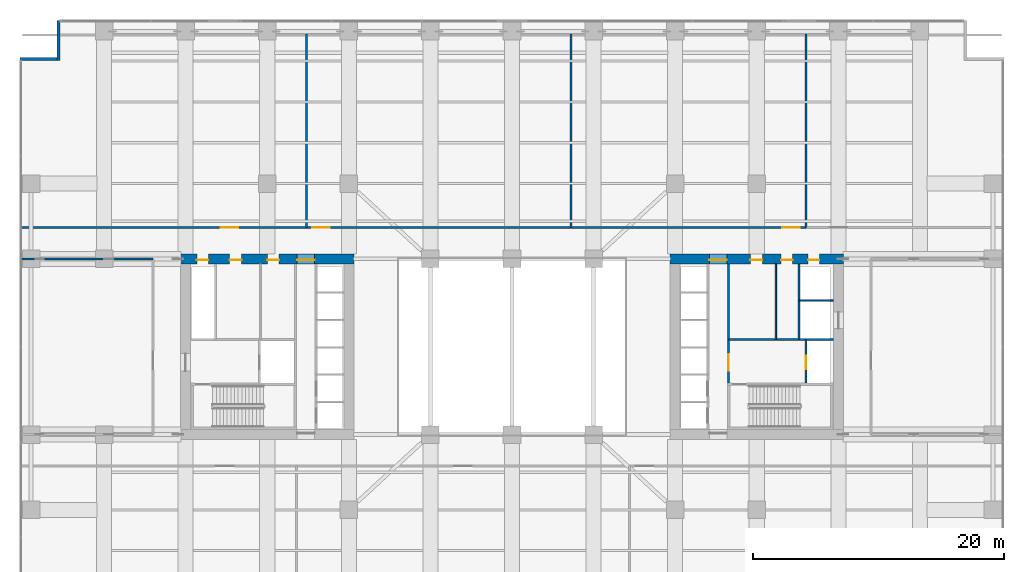
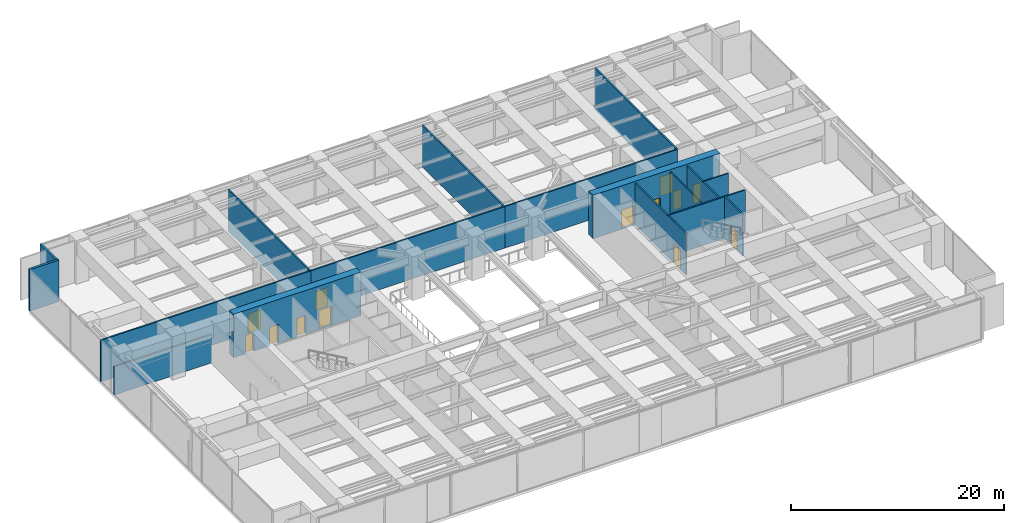
# One storey, part 26 of 31: 17 walls, 13 doors, 13 openings.
"""IFC4 building model written with IfcOpenShell, lengths in metres."""

from ifc_helpers import new_model, si_unit, direction, frame, frame_2d, origin, place, context, subcontext, project, spatial, rectangle, extrude, material, layer, layer_set, type_object, element, fill, save


model = new_model("IFC4")

# Units and contexts
model_context = context("Model", 3, precision=1e-05, world=origin(), true_north=direction((0.0, 1.0)))
body_context = subcontext(model_context, "Body", "Model", "MODEL_VIEW")
ifc_project = project(units=[si_unit("LENGTHUNIT", "METRE"), si_unit("AREAUNIT", "SQUARE_METRE"), si_unit("VOLUMEUNIT", "CUBIC_METRE"), si_unit("PLANEANGLEUNIT", "RADIAN"), si_unit("MASSUNIT", "GRAM", prefix="KILO")], contexts=[model_context])

# Site, building, storey
site_placement = place(None, origin())
site = spatial("IfcSite", under=ifc_project, at=site_placement, CompositionType="ELEMENT")
building_placement = place(site_placement, origin())
building = spatial("IfcBuilding", under=site, at=building_placement, Name="Putna Gate Headquarters", CompositionType="ELEMENT")
storey_placement = place(building_placement, frame((0.0, 0.0, 81.0)))
storey = spatial("IfcBuildingStorey", under=building, at=storey_placement, Name="L19", CompositionType="ELEMENT", Elevation=81.0)

# Wall, openings, doors
ifc_material_1 = material(Name="Concrete C60/75", Category="concrete")
ifc_layer_1 = layer(ifc_material_1, 0.800048828125)
ifc_layer_set_1 = layer_set([ifc_layer_1], Name="Concrete C60/75")
wall_type_1 = type_object("IfcWallType", Name="WALL-CORE-800", PredefinedType="SHEAR", material=ifc_layer_set_1)
wall_1_placement = place(storey_placement, frame((12.60009765625, 33.0, 0.0), z_axis=(0.0, 0.0, 1.0), x_axis=(1.0, 0.0, 0.0)))
wall_1 = element("IfcWall", 1, at=wall_1_placement, inside=storey, type_object=wall_type_1, Name="L19 WC Split Core Shear Wall N", PredefinedType="SHEAR", context=body_context, shape_type="SweptSolid", body=[
    extrude(rectangle(XDim=13.7998046875, YDim=0.800048828125, at=frame_2d((6.89990234375, 0.0))), origin(), (0.0, 0.0, 1.0), 5.0),
])
opening_1_placement = place(wall_1_placement, frame((1.300048828125, 0.0, 0.0)))
opening_1 = element("IfcOpeningElement", 2, at=opening_1_placement, cuts=wall_1, Name="Opening RD-90", PredefinedType="OPENING", context=body_context, shape_type="SweptSolid", body=[
    extrude(rectangle(XDim=0.89990234375, YDim=2.14990234375, at=frame_2d((0.449951171875, 1.074951171875))), frame((0.0, 0.409912109375, 0.0), z_axis=(0.0, -1.0, 0.0), x_axis=(1.0, 0.0, 0.0)), (0.0, 0.0, 1.0), 0.820068359375),
])
opening_2_placement = place(wall_1_placement, frame((3.89990234375, 0.0, 0.0)))
opening_2 = element("IfcOpeningElement", 3, at=opening_2_placement, cuts=wall_1, Name="Opening IDS-95", PredefinedType="OPENING", context=body_context, shape_type="SweptSolid", body=[
    extrude(rectangle(XDim=0.949951171875, YDim=2.14990234375, at=frame_2d((0.47509765625, 1.074951171875))), frame((0.0, 0.409912109375, 0.0), z_axis=(0.0, -1.0, 0.0), x_axis=(1.0, 0.0, 0.0)), (0.0, 0.0, 1.0), 0.820068359375),
])
opening_3_placement = place(wall_1_placement, frame((6.89990234375, 0.0, 0.0)))
opening_3 = element("IfcOpeningElement", 4, at=opening_3_placement, cuts=wall_1, Name="Opening IDS-95", PredefinedType="OPENING", context=body_context, shape_type="SweptSolid", body=[
    extrude(rectangle(XDim=0.949951171875, YDim=2.14990234375, at=frame_2d((0.47509765625, 1.074951171875))), frame((0.0, 0.409912109375, 0.0), z_axis=(0.0, -1.0, 0.0), x_axis=(1.0, 0.0, 0.0)), (0.0, 0.0, 1.0), 0.820068359375),
])
opening_4_placement = place(wall_1_placement, frame((9.280029296875, 0.0, 0.0)))
opening_4 = element("IfcOpeningElement", 5, at=opening_4_placement, cuts=wall_1, Name="Opening FDD-140", PredefinedType="OPENING", context=body_context, shape_type="SweptSolid", body=[
    extrude(rectangle(XDim=1.39990234375, YDim=2.199951171875, at=frame_2d((0.699951171875, 1.10009765625))), frame((0.0, 0.409912109375, 0.0), z_axis=(0.0, -1.0, 0.0), x_axis=(1.0, 0.0, 0.0)), (0.0, 0.0, 1.0), 0.820068359375),
])
ifc_material_2 = material(Name="Double steel fire door", Category="steel")
door_type_1 = type_object("IfcDoorType", Name="DOOR-FIRE-DBL-1400", OperationType="DOUBLE_DOOR_SINGLE_SWING", PredefinedType="DOOR", material=ifc_material_2)
door_1_placement = place(opening_4_placement, origin())
door_1 = element("IfcDoor", 6, at=door_1_placement, inside=storey, type_object=door_type_1, Name="L19 West Lift Lobby North Door", OperationType="DOUBLE_DOOR_SINGLE_SWING", OverallHeight=2.199951171875, OverallWidth=1.39990234375, PredefinedType="DOOR", context=body_context, shape_type="SweptSolid", body=[
    extrude(rectangle(XDim=1.39990234375, YDim=2.199951171875, at=frame_2d((0.699951171875, 1.10009765625))), frame((0.0, -0.0751953125, 0.0), z_axis=(0.0, -1.0, 0.0), x_axis=(1.0, 0.0, 0.0)), (0.0, 0.0, 1.0), 0.050048828125),
])
fill(opening_4, door_1)
ifc_material_3 = material(Name="Fire-rated service timber door", Category="wood")
door_type_2 = type_object("IfcDoorType", Name="DOOR-INT-950", OperationType="NOTDEFINED", PredefinedType="DOOR", material=ifc_material_3)
door_2_placement = place(opening_2_placement, origin())
door_2 = element("IfcDoor", 7, at=door_2_placement, inside=storey, type_object=door_type_2, Name="L19 Cleaner Store Door", OperationType="SINGLE_SWING_LEFT", OverallHeight=2.14990234375, OverallWidth=0.949951171875, PredefinedType="DOOR", context=body_context, shape_type="SweptSolid", body=[
    extrude(rectangle(XDim=0.949951171875, YDim=2.14990234375, at=frame_2d((0.47509765625, 1.074951171875))), frame((0.0, -0.0751953125, 0.0), z_axis=(0.0, -1.0, 0.0), x_axis=(1.0, 0.0, 0.0)), (0.0, 0.0, 1.0), 0.050048828125),
])
fill(opening_2, door_2)
door_3_placement = place(opening_3_placement, origin())
door_3 = element("IfcDoor", 8, at=door_3_placement, inside=storey, type_object=door_type_2, Name="L19 Comms Plant Door", OperationType="SINGLE_SWING_RIGHT", OverallHeight=2.14990234375, OverallWidth=0.949951171875, PredefinedType="DOOR", context=body_context, shape_type="SweptSolid", body=[
    extrude(rectangle(XDim=0.949951171875, YDim=2.14990234375, at=frame_2d((0.47509765625, 1.074951171875))), frame((0.0, -0.0751953125, 0.0), z_axis=(0.0, -1.0, 0.0), x_axis=(1.0, 0.0, 0.0)), (0.0, 0.0, 1.0), 0.050048828125),
])
fill(opening_3, door_3)
ifc_material_4 = material(Name="Steel riser access fire door", Category="steel")
door_type_3 = type_object("IfcDoorType", Name="DOOR-RISER-900", OperationType="NOTDEFINED", PredefinedType="DOOR", material=ifc_material_4)
door_4_placement = place(opening_1_placement, origin())
door_4 = element("IfcDoor", 9, at=door_4_placement, inside=storey, type_object=door_type_3, Name="L19 West Riser Access Door", OperationType="SINGLE_SWING_RIGHT", OverallHeight=2.14990234375, OverallWidth=0.89990234375, PredefinedType="DOOR", context=body_context, shape_type="SweptSolid", body=[
    extrude(rectangle(XDim=0.89990234375, YDim=2.14990234375, at=frame_2d((0.449951171875, 1.074951171875))), frame((0.0, -0.0751953125, 0.0), z_axis=(0.0, -1.0, 0.0), x_axis=(1.0, 0.0, 0.0)), (0.0, 0.0, 1.0), 0.050048828125),
])
fill(opening_1, door_4)

wall_2_placement = place(storey_placement, frame((51.60009765625, 33.0, 0.0), z_axis=(0.0, 0.0, 1.0), x_axis=(1.0, 0.0, 0.0)))
wall_2 = element("IfcWall", 10, at=wall_2_placement, inside=storey, type_object=wall_type_1, Name="L19 EC Split Core Shear Wall N", PredefinedType="SHEAR", context=body_context, shape_type="SweptSolid", body=[
    extrude(rectangle(XDim=13.7998046875, YDim=0.800048828125, at=frame_2d((6.89990234375, 0.0))), origin(), (0.0, 0.0, 1.0), 5.0),
])
opening_5_placement = place(wall_2_placement, frame((3.1201171875, 0.0, 0.0)))
opening_5 = element("IfcOpeningElement", 11, at=opening_5_placement, cuts=wall_2, Name="Opening FDD-140", PredefinedType="OPENING", context=body_context, shape_type="SweptSolid", body=[
    extrude(rectangle(XDim=1.39990234375, YDim=2.199951171875, at=frame_2d((0.699951171875, 1.10009765625))), frame((0.0, 0.409912109375, 0.0), z_axis=(0.0, -1.0, 0.0), x_axis=(1.0, 0.0, 0.0)), (0.0, 0.0, 1.0), 0.820068359375),
])
opening_6_placement = place(wall_2_placement, frame((11.0, 0.0, 0.0)))
opening_6 = element("IfcOpeningElement", 12, at=opening_6_placement, cuts=wall_2, Name="Opening RD-90", PredefinedType="OPENING", context=body_context, shape_type="SweptSolid", body=[
    extrude(rectangle(XDim=0.89990234375, YDim=2.14990234375, at=frame_2d((0.449951171875, 1.074951171875))), frame((0.0, 0.409912109375, 0.0), z_axis=(0.0, -1.0, 0.0), x_axis=(1.0, 0.0, 0.0)), (0.0, 0.0, 1.0), 0.820068359375),
])
opening_7_placement = place(wall_2_placement, frame((6.39990234375, 0.0, 0.0)))
opening_7 = element("IfcOpeningElement", 13, at=opening_7_placement, cuts=wall_2, Name="Opening IDS-95", PredefinedType="OPENING", context=body_context, shape_type="SweptSolid", body=[
    extrude(rectangle(XDim=0.949951171875, YDim=2.14990234375, at=frame_2d((0.47509765625, 1.074951171875))), frame((0.0, 0.409912109375, 0.0), z_axis=(0.0, -1.0, 0.0), x_axis=(1.0, 0.0, 0.0)), (0.0, 0.0, 1.0), 0.820068359375),
])
opening_8_placement = place(wall_2_placement, frame((8.85009765625, 0.0, 0.0)))
opening_8 = element("IfcOpeningElement", 14, at=opening_8_placement, cuts=wall_2, Name="Opening IDS-90", PredefinedType="OPENING", context=body_context, shape_type="SweptSolid", body=[
    extrude(rectangle(XDim=0.89990234375, YDim=2.14990234375, at=frame_2d((0.449951171875, 1.074951171875))), frame((0.0, 0.409912109375, 0.0), z_axis=(0.0, -1.0, 0.0), x_axis=(1.0, 0.0, 0.0)), (0.0, 0.0, 1.0), 0.820068359375),
])
door_5_placement = place(opening_5_placement, origin())
door_5 = element("IfcDoor", 15, at=door_5_placement, inside=storey, type_object=door_type_1, Name="L19 East Lift Lobby North Door", OperationType="DOUBLE_DOOR_SINGLE_SWING", OverallHeight=2.199951171875, OverallWidth=1.39990234375, PredefinedType="DOOR", context=body_context, shape_type="SweptSolid", body=[
    extrude(rectangle(XDim=1.39990234375, YDim=2.199951171875, at=frame_2d((0.699951171875, 1.10009765625))), frame((0.0, -0.0751953125, 0.0), z_axis=(0.0, -1.0, 0.0), x_axis=(1.0, 0.0, 0.0)), (0.0, 0.0, 1.0), 0.050048828125),
])
fill(opening_5, door_5)
ifc_material_5 = material(Name="Fire-rated utility door")
door_type_4 = type_object("IfcDoorType", Name="DOOR-INT-900", OperationType="NOTDEFINED", PredefinedType="DOOR", material=ifc_material_5)
door_6_placement = place(opening_8_placement, origin())
door_6 = element("IfcDoor", 16, at=door_6_placement, inside=storey, type_object=door_type_4, Name="L19 Electrical Plant Door", OperationType="SINGLE_SWING_LEFT", OverallHeight=2.14990234375, OverallWidth=0.89990234375, PredefinedType="DOOR", context=body_context, shape_type="SweptSolid", body=[
    extrude(rectangle(XDim=0.89990234375, YDim=2.14990234375, at=frame_2d((0.449951171875, 1.074951171875))), frame((0.0, -0.0751953125, 0.0), z_axis=(0.0, -1.0, 0.0), x_axis=(1.0, 0.0, 0.0)), (0.0, 0.0, 1.0), 0.050048828125),
])
fill(opening_8, door_6)
door_7_placement = place(opening_7_placement, origin())
door_7 = element("IfcDoor", 17, at=door_7_placement, inside=storey, type_object=door_type_2, Name="L19 East Store Door", OperationType="SINGLE_SWING_RIGHT", OverallHeight=2.14990234375, OverallWidth=0.949951171875, PredefinedType="DOOR", context=body_context, shape_type="SweptSolid", body=[
    extrude(rectangle(XDim=0.949951171875, YDim=2.14990234375, at=frame_2d((0.47509765625, 1.074951171875))), frame((0.0, -0.0751953125, 0.0), z_axis=(0.0, -1.0, 0.0), x_axis=(1.0, 0.0, 0.0)), (0.0, 0.0, 1.0), 0.050048828125),
])
fill(opening_7, door_7)
door_8_placement = place(opening_6_placement, origin())
door_8 = element("IfcDoor", 18, at=door_8_placement, inside=storey, type_object=door_type_3, Name="L19 East Riser Access Door", OperationType="SINGLE_SWING_LEFT", OverallHeight=2.14990234375, OverallWidth=0.89990234375, PredefinedType="DOOR", context=body_context, shape_type="SweptSolid", body=[
    extrude(rectangle(XDim=0.89990234375, YDim=2.14990234375, at=frame_2d((0.449951171875, 1.074951171875))), frame((0.0, -0.0751953125, 0.0), z_axis=(0.0, -1.0, 0.0), x_axis=(1.0, 0.0, 0.0)), (0.0, 0.0, 1.0), 0.050048828125),
])
fill(opening_6, door_8)

# Walls
ifc_material_6 = material(Name="Precast concrete C40/50", Category="concrete")
ifc_layer_2 = layer(ifc_material_6, 0.239990234375)
ifc_layer_set_2 = layer_set([ifc_layer_2], Name="Precast concrete C40/50")
wall_type_2 = type_object("IfcWallType", Name="WALL-EXT-TERR-240", PredefinedType="STANDARD", material=ifc_layer_set_2)
for number, where, z_axis, x_axis, name in (
    (19, (2.8798828125, 48.800048828125, 0.0), (0.0, 0.0, 1.0), (0.0, 1.0, 0.0), "L19 Corner Notch Return Wall NW-V"),
    (20, (-0.199951171875, 48.919921875, 0.0), (0.0, 0.0, 1.0), (1.0, 0.0, 0.0), "L19 Corner Notch Return Wall NW-H"),
):
    element("IfcWall", number, at=place(storey_placement, frame(where, z_axis=z_axis, x_axis=x_axis)), inside=storey, type_object=wall_type_2, Name=name, PredefinedType="STANDARD", context=body_context, shape_type="SweptSolid", body=[
        extrude(rectangle(XDim=3.199951171875, YDim=0.239990234375, at=frame_2d((1.60009765625, 0.0))), origin(), (0.0, 0.0, 1.0), 4.764892578125),
    ])
ifc_material_7 = material(Name="Fire-rated shaftwall gypsum board on metal stud")
ifc_layer_3 = layer(ifc_material_7, 0.1201171875)
ifc_layer_set_3 = layer_set([ifc_layer_3], Name="Fire-rated shaftwall gypsum board on metal stud")
wall_type_3 = type_object("IfcWallType", Name="WALL-PART-120-EI120", PredefinedType="PARTITIONING", material=ifc_layer_set_3)
wall_3_placement = place(storey_placement, frame((61.8701171875, 29.699951171875, 0.0), z_axis=(0.0, 0.0, 1.0), x_axis=(1.0, 0.0, 0.0)))
element("IfcWall", 21, at=wall_3_placement, inside=storey, type_object=wall_type_3, Name="L19 Interior Wall CWINT-L19-EC-LF15-N", PredefinedType="PARTITIONING", context=body_context, shape_type="SweptSolid", body=[
    extrude(rectangle(XDim=2.72998046875, YDim=0.1201171875, at=frame_2d((1.364990234375, 0.0))), origin(), (0.0, 0.0, 1.0), 4.764892578125),
])
ifc_material_8 = material(Name="Fire-rated gypsum board on metal stud")
ifc_layer_4 = layer(ifc_material_8, 0.1201171875)
ifc_layer_set_4 = layer_set([ifc_layer_4], Name="Fire-rated gypsum board on metal stud")
wall_type_4 = type_object("IfcWallType", Name="WALL-PART-120-RATED", PredefinedType="PARTITIONING", material=ifc_layer_set_4)
wall_4_placement = place(storey_placement, frame((60.02001953125, 26.56005859375, 0.0), z_axis=(0.0, 0.0, 1.0), x_axis=(0.0, 1.0, 0.0)))
element("IfcWall", 22, at=wall_4_placement, inside=storey, type_object=wall_type_4, Name="L19 Interior Wall CWINT-L19-EC-K0-DIV", PredefinedType="PARTITIONING", context=body_context, shape_type="SweptSolid", body=[
    extrude(rectangle(XDim=6.0400390625, YDim=0.1201171875, at=frame_2d((3.02001953125, 0.0))), origin(), (0.0, 0.0, 1.0), 4.764892578125),
])

# Wall, opening, door
ifc_material_9 = material(Name="Concrete C40/50", Category="concrete")
ifc_layer_5 = layer(ifc_material_9, 0.159912109375)
ifc_layer_set_5 = layer_set([ifc_layer_5], Name="Concrete C40/50")
wall_type_5 = type_object("IfcWallType", Name="WALL-SHAFT-160", PredefinedType="STANDARD", material=ifc_layer_set_5)
wall_5_placement = place(storey_placement, frame((56.260009765625, 23.090087890625, 0.0), z_axis=(0.0, 0.0, 1.0), x_axis=(0.0, 1.0, 0.0)))
wall_5 = element("IfcWall", 23, at=wall_5_placement, inside=storey, type_object=wall_type_5, Name="L19 Interior Wall CWINT-L19-EC-LOB-E", PredefinedType="STANDARD", context=body_context, shape_type="SweptSolid", body=[
    extrude(rectangle(XDim=9.510009765625, YDim=0.159912109375, at=frame_2d((4.7548828125, 0.0))), origin(), (0.0, 0.0, 1.0), 4.764892578125),
])
opening_9_placement = place(wall_5_placement, frame((1.010009765625, 0.0, 0.0)))
opening_9 = element("IfcOpeningElement", 24, at=opening_9_placement, cuts=wall_5, Name="Opening FDD-130", PredefinedType="OPENING", context=body_context, shape_type="SweptSolid", body=[
    extrude(rectangle(XDim=1.300048828125, YDim=2.199951171875, at=frame_2d((0.64990234375, 1.10009765625))), frame((0.0, 0.08984375, 0.0), z_axis=(0.0, -1.0, 0.0), x_axis=(1.0, 0.0, 0.0)), (0.0, 0.0, 1.0), 0.179931640625),
])
ifc_material_10 = material(Name="Double steel lobby fire door", Category="steel")
door_type_5 = type_object("IfcDoorType", Name="DOOR-FIRE-DBL-1300", OperationType="DOUBLE_DOOR_SINGLE_SWING", PredefinedType="DOOR", material=ifc_material_10)
door_9_placement = place(opening_9_placement, origin())
door_9 = element("IfcDoor", 25, at=door_9_placement, inside=storey, type_object=door_type_5, Name="L19 East Firefighting Lobby Door", OperationType="DOUBLE_DOOR_SINGLE_SWING", OverallHeight=2.199951171875, OverallWidth=1.300048828125, PredefinedType="DOOR", context=body_context, shape_type="SweptSolid", body=[
    extrude(rectangle(XDim=1.300048828125, YDim=2.199951171875, at=frame_2d((0.64990234375, 1.10009765625))), frame((0.0, 0.02490234375, 0.0), z_axis=(0.0, -1.0, 0.0), x_axis=(1.0, 0.0, 0.0)), (0.0, 0.0, 1.0), 0.050048828125),
])
fill(opening_9, door_9)

wall_6_placement = place(storey_placement, frame((62.429931640625, 23.090087890625, 0.0), z_axis=(0.0, 0.0, 1.0), x_axis=(0.0, 1.0, 0.0)))
wall_6 = element("IfcWall", 26, at=wall_6_placement, inside=storey, type_object=wall_type_5, Name="L19 Interior Wall CWINT-L19-EC-LF14-W", PredefinedType="STANDARD", context=body_context, shape_type="SweptSolid", body=[
    extrude(rectangle(XDim=3.469970703125, YDim=0.159912109375, at=frame_2d((1.73486328125, 0.0))), origin(), (0.0, 0.0, 1.0), 4.764892578125),
])
opening_10_placement = place(wall_6_placement, frame((1.10009765625, 0.0, 0.0)))
opening_10 = element("IfcOpeningElement", 27, at=opening_10_placement, cuts=wall_6, Name="Opening LD-1", PredefinedType="OPENING", context=body_context, shape_type="SweptSolid", body=[
    extrude(rectangle(XDim=1.10009765625, YDim=2.199951171875, at=frame_2d((0.550048828125, 1.10009765625))), frame((0.0, 0.08984375, 0.0), z_axis=(0.0, -1.0, 0.0), x_axis=(1.0, 0.0, 0.0)), (0.0, 0.0, 1.0), 0.179931640625),
])
ifc_material_11 = material(Name="Brushed bronze stainless lift landing door")
door_type_6 = type_object("IfcDoorType", Name="DOOR-LIFT-1100", OperationType="DOUBLE_DOOR_SLIDING", PredefinedType="DOOR", material=ifc_material_11)
door_10_placement = place(opening_10_placement, origin())
door_10 = element("IfcDoor", 28, at=door_10_placement, inside=storey, type_object=door_type_6, Name="L19 Lift Landing Door LD-14", OperationType="DOUBLE_DOOR_SLIDING", OverallHeight=2.199951171875, OverallWidth=1.10009765625, PredefinedType="DOOR", context=body_context, shape_type="SweptSolid", body=[
    extrude(rectangle(XDim=1.10009765625, YDim=2.199951171875, at=frame_2d((0.550048828125, 1.10009765625))), frame((0.0, 0.02490234375, 0.0), z_axis=(0.0, -1.0, 0.0), x_axis=(1.0, 0.0, 0.0)), (0.0, 0.0, 1.0), 0.050048828125),
])
fill(opening_10, door_10)

# Walls
wall_7_placement = place(storey_placement, frame((56.260009765625, 26.56005859375, 0.0), z_axis=(0.0, 0.0, 1.0), x_axis=(1.0, 0.0, 0.0)))
element("IfcWall", 29, at=wall_7_placement, inside=storey, type_object=wall_type_5, Name="L19 Interior Wall CWINT-L19-EC-FFL-N", PredefinedType="STANDARD", context=body_context, shape_type="SweptSolid", body=[
    extrude(rectangle(XDim=8.340087890625, YDim=0.159912109375, at=frame_2d((4.169921875, 0.0))), origin(), (0.0, 0.0, 1.0), 4.764892578125),
])
wall_8_placement = place(storey_placement, frame((61.8701171875, 26.56005859375, 0.0), z_axis=(0.0, 0.0, 1.0), x_axis=(0.0, 1.0, 0.0)))
element("IfcWall", 30, at=wall_8_placement, inside=storey, type_object=wall_type_5, Name="L19 Interior Wall CWINT-L19-EC-LF15-W", PredefinedType="STANDARD", context=body_context, shape_type="SweptSolid", body=[
    extrude(rectangle(XDim=6.0400390625, YDim=0.159912109375, at=frame_2d((3.02001953125, 0.0))), origin(), (0.0, 0.0, 1.0), 4.764892578125),
])
wall_9_placement = place(storey_placement, frame((-0.179931640625, 33.0, 0.0), z_axis=(0.0, 0.0, 1.0), x_axis=(1.0, 0.0, 0.0)))
element("IfcWall", 31, at=wall_9_placement, inside=storey, type_object=wall_type_5, Name="L19 Interior Wall PART-L19-REFW-N", PredefinedType="STANDARD", context=body_context, shape_type="SweptSolid", body=[
    extrude(rectangle(XDim=10.579833984375, YDim=0.159912109375, at=frame_2d((5.2900390625, 0.0))), origin(), (0.0, 0.0, 1.0), 3.2451171875),
])
wall_10_placement = place(storey_placement, frame((22.611572265625, 35.5, 0.0), z_axis=(0.0, 0.0, 1.0), x_axis=(0.0, 1.0, 0.0)))
element("IfcWall", 32, at=wall_10_placement, inside=storey, type_object=wall_type_5, Name="L19 Interior Wall PART-L19-PN-DIV1", PredefinedType="STANDARD", context=body_context, shape_type="SweptSolid", body=[
    extrude(rectangle(XDim=15.409912109375, YDim=0.159912109375, at=frame_2d((7.705078125, 0.0))), origin(), (0.0, 0.0, 1.0), 4.764892578125),
])

# Wall, opening, door
wall_11_placement = place(storey_placement, frame((-0.179931640625, 35.5, 0.0), z_axis=(0.0, 0.0, 1.0), x_axis=(1.0, 0.0, 0.0)))
wall_11 = element("IfcWall", 33, at=wall_11_placement, inside=storey, type_object=wall_type_5, Name="L19 Interior Wall PART-L19-PN-CW1", PredefinedType="STANDARD", context=body_context, shape_type="SweptSolid", body=[
    extrude(rectangle(XDim=22.79150390625, YDim=0.159912109375, at=frame_2d((11.395751953125, 0.0))), origin(), (0.0, 0.0, 1.0), 4.764892578125),
])
opening_11_placement = place(wall_11_placement, frame((15.98583984375, 0.0, 0.0)))
opening_11 = element("IfcOpeningElement", 34, at=opening_11_placement, cuts=wall_11, Name="Opening FDD-140", PredefinedType="OPENING", context=body_context, shape_type="SweptSolid", body=[
    extrude(rectangle(XDim=1.39990234375, YDim=2.199951171875, at=frame_2d((0.699951171875, 1.10009765625))), frame((0.0, 0.08984375, 0.0), z_axis=(0.0, -1.0, 0.0), x_axis=(1.0, 0.0, 0.0)), (0.0, 0.0, 1.0), 0.179931640625),
])
door_11_placement = place(opening_11_placement, origin())
door_11 = element("IfcDoor", 35, at=door_11_placement, inside=storey, type_object=door_type_1, Name="L19 AHU Ventilation Plant Room Door", OperationType="DOUBLE_DOOR_SINGLE_SWING", OverallHeight=2.199951171875, OverallWidth=1.39990234375, PredefinedType="DOOR", context=body_context, shape_type="SweptSolid", body=[
    extrude(rectangle(XDim=1.39990234375, YDim=2.199951171875, at=frame_2d((0.699951171875, 1.10009765625))), frame((0.0, 0.02490234375, 0.0), z_axis=(0.0, -1.0, 0.0), x_axis=(1.0, 0.0, 0.0)), (0.0, 0.0, 1.0), 0.050048828125),
])
fill(opening_11, door_11)

# Wall
wall_12_placement = place(storey_placement, frame((43.682373046875, 35.5, 0.0), z_axis=(0.0, 0.0, 1.0), x_axis=(0.0, 1.0, 0.0)))
element("IfcWall", 36, at=wall_12_placement, inside=storey, type_object=wall_type_5, Name="L19 Interior Wall PART-L19-PN-DIV2", PredefinedType="STANDARD", context=body_context, shape_type="SweptSolid", body=[
    extrude(rectangle(XDim=15.409912109375, YDim=0.159912109375, at=frame_2d((7.705078125, 0.0))), origin(), (0.0, 0.0, 1.0), 4.764892578125),
])

# Wall, opening, door
wall_13_placement = place(storey_placement, frame((22.611572265625, 35.5, 0.0), z_axis=(0.0, 0.0, 1.0), x_axis=(1.0, 0.0, 0.0)))
wall_13 = element("IfcWall", 37, at=wall_13_placement, inside=storey, type_object=wall_type_5, Name="L19 Interior Wall PART-L19-PN-CW2", PredefinedType="STANDARD", context=body_context, shape_type="SweptSolid", body=[
    extrude(rectangle(XDim=21.07080078125, YDim=0.159912109375, at=frame_2d((10.535400390625, 0.0))), origin(), (0.0, 0.0, 1.0), 4.764892578125),
])
opening_12_placement = place(wall_13_placement, frame((0.47998046875, 0.0, 0.0)))
opening_12 = element("IfcOpeningElement", 38, at=opening_12_placement, cuts=wall_13, Name="Opening FDD-140", PredefinedType="OPENING", context=body_context, shape_type="SweptSolid", body=[
    extrude(rectangle(XDim=1.39990234375, YDim=2.199951171875, at=frame_2d((0.699951171875, 1.10009765625))), frame((0.0, 0.08984375, 0.0), z_axis=(0.0, -1.0, 0.0), x_axis=(1.0, 0.0, 0.0)), (0.0, 0.0, 1.0), 0.179931640625),
])
door_12_placement = place(opening_12_placement, origin())
door_12 = element("IfcDoor", 39, at=door_12_placement, inside=storey, type_object=door_type_1, Name="L19 Chiller and Heat Exchanger Plant Room Door", OperationType="DOUBLE_DOOR_SINGLE_SWING", OverallHeight=2.199951171875, OverallWidth=1.39990234375, PredefinedType="DOOR", context=body_context, shape_type="SweptSolid", body=[
    extrude(rectangle(XDim=1.39990234375, YDim=2.199951171875, at=frame_2d((0.699951171875, 1.10009765625))), frame((0.0, 0.02490234375, 0.0), z_axis=(0.0, -1.0, 0.0), x_axis=(1.0, 0.0, 0.0)), (0.0, 0.0, 1.0), 0.050048828125),
])
fill(opening_12, door_12)

# Wall
wall_14_placement = place(storey_placement, frame((62.412109375, 35.5, 0.0), z_axis=(0.0, 0.0, 1.0), x_axis=(0.0, 1.0, 0.0)))
element("IfcWall", 40, at=wall_14_placement, inside=storey, type_object=wall_type_5, Name="L19 Interior Wall PART-L19-PN-DIV3", PredefinedType="STANDARD", context=body_context, shape_type="SweptSolid", body=[
    extrude(rectangle(XDim=15.409912109375, YDim=0.159912109375, at=frame_2d((7.705078125, 0.0))), origin(), (0.0, 0.0, 1.0), 4.764892578125),
])

# Wall, opening, door
wall_15_placement = place(storey_placement, frame((43.682373046875, 35.5, 0.0), z_axis=(0.0, 0.0, 1.0), x_axis=(1.0, 0.0, 0.0)))
wall_15 = element("IfcWall", 41, at=wall_15_placement, inside=storey, type_object=wall_type_5, Name="L19 Interior Wall PART-L19-PN-CW3", PredefinedType="STANDARD", context=body_context, shape_type="SweptSolid", body=[
    extrude(rectangle(XDim=18.729736328125, YDim=0.159912109375, at=frame_2d((9.36474609375, 0.0))), origin(), (0.0, 0.0, 1.0), 4.764892578125),
])
opening_13_placement = place(wall_15_placement, frame((16.849609375, 0.0, 0.0)))
opening_13 = element("IfcOpeningElement", 42, at=opening_13_placement, cuts=wall_15, Name="Opening FDD-140", PredefinedType="OPENING", context=body_context, shape_type="SweptSolid", body=[
    extrude(rectangle(XDim=1.39990234375, YDim=2.199951171875, at=frame_2d((0.699951171875, 1.10009765625))), frame((0.0, 0.08984375, 0.0), z_axis=(0.0, -1.0, 0.0), x_axis=(1.0, 0.0, 0.0)), (0.0, 0.0, 1.0), 0.179931640625),
])
door_13_placement = place(opening_13_placement, origin())
door_13 = element("IfcDoor", 43, at=door_13_placement, inside=storey, type_object=door_type_1, Name="L19 HV and LV Switchgear Plant Room Door", OperationType="DOUBLE_DOOR_SINGLE_SWING", OverallHeight=2.199951171875, OverallWidth=1.39990234375, PredefinedType="DOOR", context=body_context, shape_type="SweptSolid", body=[
    extrude(rectangle(XDim=1.39990234375, YDim=2.199951171875, at=frame_2d((0.699951171875, 1.10009765625))), frame((0.0, 0.02490234375, 0.0), z_axis=(0.0, -1.0, 0.0), x_axis=(1.0, 0.0, 0.0)), (0.0, 0.0, 1.0), 0.050048828125),
])
fill(opening_13, door_13)

save(model, "model.ifc")
